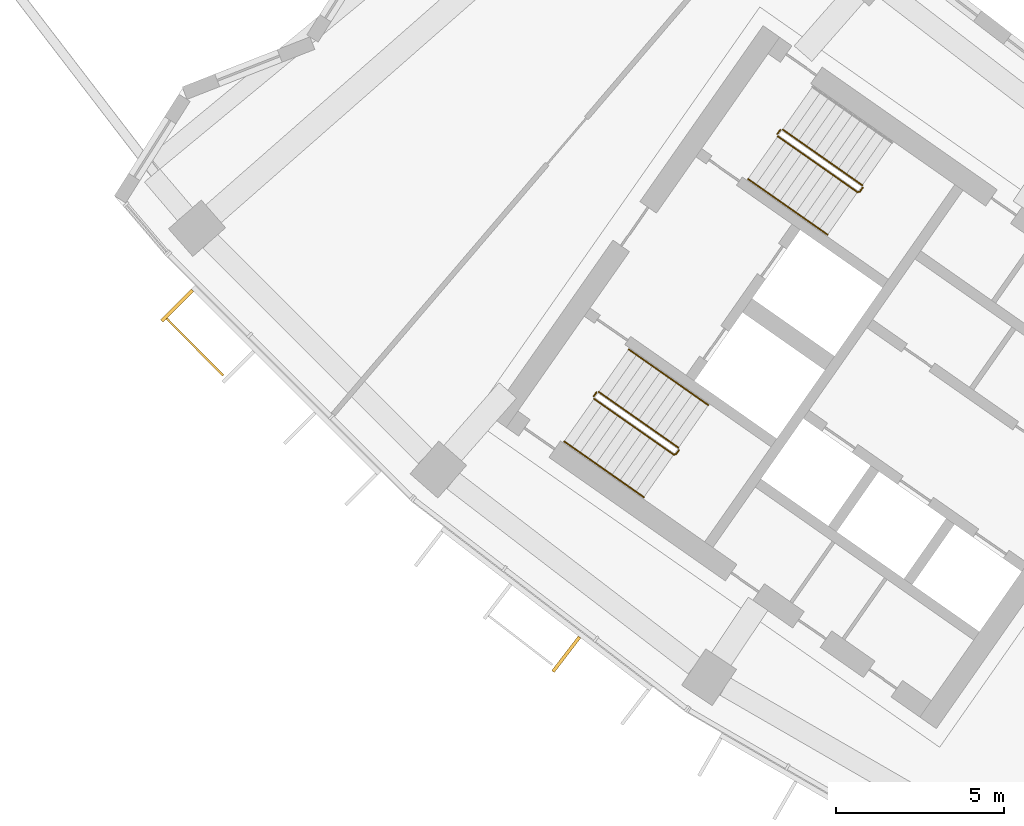
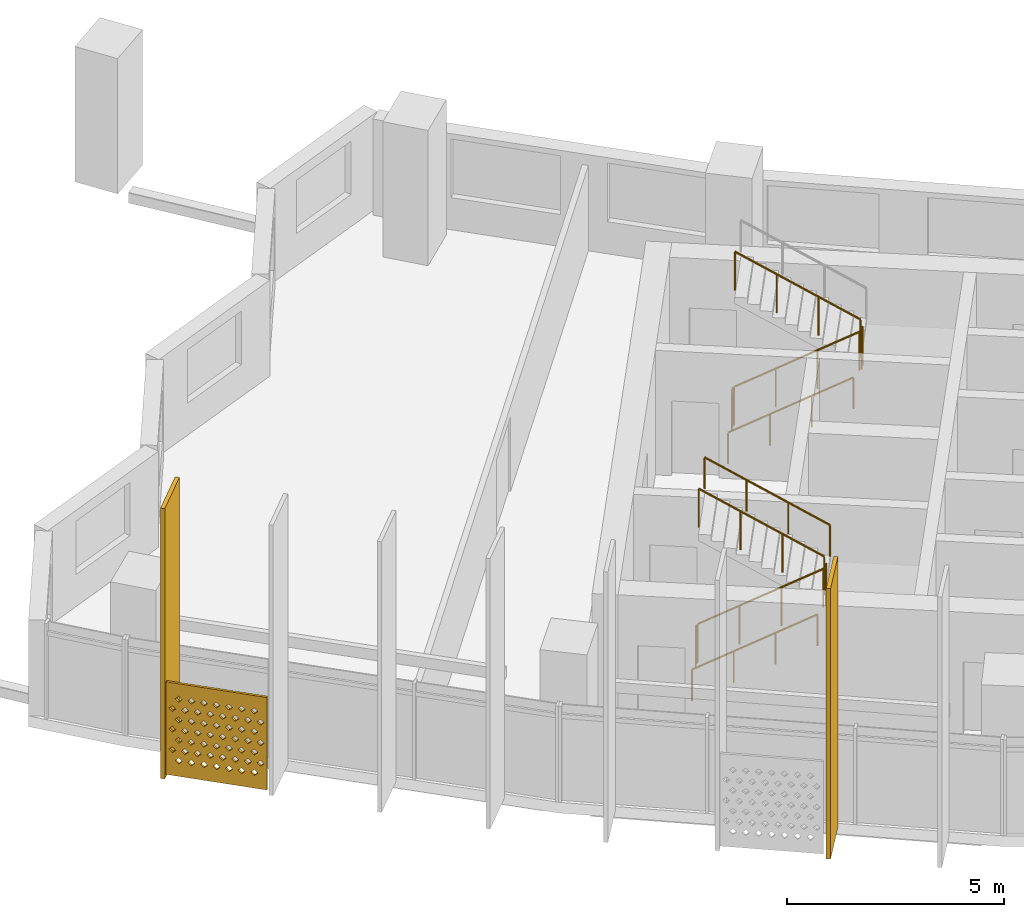
# One storey, part 22 of 27: 9 railings, 3 shading devices.
"""IFC4 building model written with IfcOpenShell, lengths in metres."""

from ifc_helpers import new_model, si_unit, direction, frame, origin, origin_2d, place, context, subcontext, project, spatial, polyline, rectangle, circle, outline, extrude, material, material_profile, profile_set, type_object, element, save


model = new_model("IFC4")

# Units and contexts
model_context = context("Model", 3, precision=1e-05, world=origin(), true_north=direction((0.0, 1.0)))
body_context = subcontext(model_context, "Body", "Model", "MODEL_VIEW")
ifc_project = project(units=[si_unit("LENGTHUNIT", "METRE"), si_unit("AREAUNIT", "SQUARE_METRE"), si_unit("VOLUMEUNIT", "CUBIC_METRE"), si_unit("PLANEANGLEUNIT", "RADIAN"), si_unit("MASSUNIT", "GRAM", prefix="KILO")], contexts=[model_context])

# Site, building, storey
site_placement = place(None, origin())
site = spatial("IfcSite", under=ifc_project, at=site_placement, CompositionType="ELEMENT")
building_placement = place(site_placement, origin())
building = spatial("IfcBuilding", under=site, at=building_placement, Name="Qamariyya Broadcast Tower", CompositionType="ELEMENT")
storey_placement = place(building_placement, frame((0.0, 0.0, 164.5)))
storey = spatial("IfcBuildingStorey", under=building, at=storey_placement, Name="L38", CompositionType="ELEMENT", Elevation=164.5)

# Shading device
ifc_material_1 = material(Name="Perforated glazed terracotta", Category="masonry")
ifc_material_profile_1 = material_profile(ifc_material_1, outline(polyline([(-1.199951171875, -1.300048828125), (1.199951171875, -1.300048828125), (1.199951171875, 1.300048828125), (-1.199951171875, 1.300048828125), (-1.199951171875, -1.300048828125)]), holes=[polyline([(-0.81494140625, -0.86669921875), (-0.89990234375, -0.78173828125), (-0.985107421875, -0.86669921875), (-0.89990234375, -0.95166015625), (-0.81494140625, -0.86669921875)]), polyline([(-0.514892578125, -0.86669921875), (-0.60009765625, -0.78173828125), (-0.68505859375, -0.86669921875), (-0.60009765625, -0.95166015625), (-0.514892578125, -0.86669921875)]), polyline([(-0.215087890625, -0.86669921875), (-0.300048828125, -0.78173828125), (-0.385009765625, -0.86669921875), (-0.300048828125, -0.95166015625), (-0.215087890625, -0.86669921875)]), polyline([(0.0849609375, -0.86669921875), (0.0, -0.78173828125), (-0.0849609375, -0.86669921875), (0.0, -0.95166015625), (0.0849609375, -0.86669921875)]), polyline([(0.385009765625, -0.86669921875), (0.300048828125, -0.78173828125), (0.215087890625, -0.86669921875), (0.300048828125, -0.95166015625), (0.385009765625, -0.86669921875)]), polyline([(0.68505859375, -0.86669921875), (0.60009765625, -0.78173828125), (0.514892578125, -0.86669921875), (0.60009765625, -0.95166015625), (0.68505859375, -0.86669921875)]), polyline([(0.985107421875, -0.86669921875), (0.89990234375, -0.78173828125), (0.81494140625, -0.86669921875), (0.89990234375, -0.95166015625), (0.985107421875, -0.86669921875)]), polyline([(-0.965087890625, -0.577880859375), (-1.050048828125, -0.49267578125), (-1.135009765625, -0.577880859375), (-1.050048828125, -0.662841796875), (-0.965087890625, -0.577880859375)]), polyline([(-0.6650390625, -0.577880859375), (-0.75, -0.49267578125), (-0.8349609375, -0.577880859375), (-0.75, -0.662841796875), (-0.6650390625, -0.577880859375)]), polyline([(-0.364990234375, -0.577880859375), (-0.449951171875, -0.49267578125), (-0.534912109375, -0.577880859375), (-0.449951171875, -0.662841796875), (-0.364990234375, -0.577880859375)]), polyline([(-0.06494140625, -0.577880859375), (-0.14990234375, -0.49267578125), (-0.235107421875, -0.577880859375), (-0.14990234375, -0.662841796875), (-0.06494140625, -0.577880859375)]), polyline([(0.235107421875, -0.577880859375), (0.14990234375, -0.49267578125), (0.06494140625, -0.577880859375), (0.14990234375, -0.662841796875), (0.235107421875, -0.577880859375)]), polyline([(0.534912109375, -0.577880859375), (0.449951171875, -0.49267578125), (0.364990234375, -0.577880859375), (0.449951171875, -0.662841796875), (0.534912109375, -0.577880859375)]), polyline([(0.8349609375, -0.577880859375), (0.75, -0.49267578125), (0.6650390625, -0.577880859375), (0.75, -0.662841796875), (0.8349609375, -0.577880859375)]), polyline([(1.135009765625, -0.577880859375), (1.050048828125, -0.49267578125), (0.965087890625, -0.577880859375), (1.050048828125, -0.662841796875), (1.135009765625, -0.577880859375)]), polyline([(-0.81494140625, -0.288818359375), (-0.89990234375, -0.203857421875), (-0.985107421875, -0.288818359375), (-0.89990234375, -0.373779296875), (-0.81494140625, -0.288818359375)]), polyline([(-0.514892578125, -0.288818359375), (-0.60009765625, -0.203857421875), (-0.68505859375, -0.288818359375), (-0.60009765625, -0.373779296875), (-0.514892578125, -0.288818359375)]), polyline([(-0.215087890625, -0.288818359375), (-0.300048828125, -0.203857421875), (-0.385009765625, -0.288818359375), (-0.300048828125, -0.373779296875), (-0.215087890625, -0.288818359375)]), polyline([(0.0849609375, -0.288818359375), (0.0, -0.203857421875), (-0.0849609375, -0.288818359375), (0.0, -0.373779296875), (0.0849609375, -0.288818359375)]), polyline([(0.385009765625, -0.288818359375), (0.300048828125, -0.203857421875), (0.215087890625, -0.288818359375), (0.300048828125, -0.373779296875), (0.385009765625, -0.288818359375)]), polyline([(0.68505859375, -0.288818359375), (0.60009765625, -0.203857421875), (0.514892578125, -0.288818359375), (0.60009765625, -0.373779296875), (0.68505859375, -0.288818359375)]), polyline([(0.985107421875, -0.288818359375), (0.89990234375, -0.203857421875), (0.81494140625, -0.288818359375), (0.89990234375, -0.373779296875), (0.985107421875, -0.288818359375)]), polyline([(-0.965087890625, 0.0), (-1.050048828125, 0.0849609375), (-1.135009765625, 0.0), (-1.050048828125, -0.0849609375), (-0.965087890625, 0.0)]), polyline([(-0.6650390625, 0.0), (-0.75, 0.0849609375), (-0.8349609375, 0.0), (-0.75, -0.0849609375), (-0.6650390625, 0.0)]), polyline([(-0.364990234375, 0.0), (-0.449951171875, 0.0849609375), (-0.534912109375, 0.0), (-0.449951171875, -0.0849609375), (-0.364990234375, 0.0)]), polyline([(-0.06494140625, 0.0), (-0.14990234375, 0.0849609375), (-0.235107421875, 0.0), (-0.14990234375, -0.0849609375), (-0.06494140625, 0.0)]), polyline([(0.235107421875, 0.0), (0.14990234375, 0.0849609375), (0.06494140625, 0.0), (0.14990234375, -0.0849609375), (0.235107421875, 0.0)]), polyline([(0.534912109375, 0.0), (0.449951171875, 0.0849609375), (0.364990234375, 0.0), (0.449951171875, -0.0849609375), (0.534912109375, 0.0)]), polyline([(0.8349609375, 0.0), (0.75, 0.0849609375), (0.6650390625, 0.0), (0.75, -0.0849609375), (0.8349609375, 0.0)]), polyline([(1.135009765625, 0.0), (1.050048828125, 0.0849609375), (0.965087890625, 0.0), (1.050048828125, -0.0849609375), (1.135009765625, 0.0)]), polyline([(-0.81494140625, 0.288818359375), (-0.89990234375, 0.373779296875), (-0.985107421875, 0.288818359375), (-0.89990234375, 0.203857421875), (-0.81494140625, 0.288818359375)]), polyline([(-0.514892578125, 0.288818359375), (-0.60009765625, 0.373779296875), (-0.68505859375, 0.288818359375), (-0.60009765625, 0.203857421875), (-0.514892578125, 0.288818359375)]), polyline([(-0.215087890625, 0.288818359375), (-0.300048828125, 0.373779296875), (-0.385009765625, 0.288818359375), (-0.300048828125, 0.203857421875), (-0.215087890625, 0.288818359375)]), polyline([(0.0849609375, 0.288818359375), (0.0, 0.373779296875), (-0.0849609375, 0.288818359375), (0.0, 0.203857421875), (0.0849609375, 0.288818359375)]), polyline([(0.385009765625, 0.288818359375), (0.300048828125, 0.373779296875), (0.215087890625, 0.288818359375), (0.300048828125, 0.203857421875), (0.385009765625, 0.288818359375)]), polyline([(0.68505859375, 0.288818359375), (0.60009765625, 0.373779296875), (0.514892578125, 0.288818359375), (0.60009765625, 0.203857421875), (0.68505859375, 0.288818359375)]), polyline([(0.985107421875, 0.288818359375), (0.89990234375, 0.373779296875), (0.81494140625, 0.288818359375), (0.89990234375, 0.203857421875), (0.985107421875, 0.288818359375)]), polyline([(-0.965087890625, 0.577880859375), (-1.050048828125, 0.662841796875), (-1.135009765625, 0.577880859375), (-1.050048828125, 0.49267578125), (-0.965087890625, 0.577880859375)]), polyline([(-0.6650390625, 0.577880859375), (-0.75, 0.662841796875), (-0.8349609375, 0.577880859375), (-0.75, 0.49267578125), (-0.6650390625, 0.577880859375)]), polyline([(-0.364990234375, 0.577880859375), (-0.449951171875, 0.662841796875), (-0.534912109375, 0.577880859375), (-0.449951171875, 0.49267578125), (-0.364990234375, 0.577880859375)]), polyline([(-0.06494140625, 0.577880859375), (-0.14990234375, 0.662841796875), (-0.235107421875, 0.577880859375), (-0.14990234375, 0.49267578125), (-0.06494140625, 0.577880859375)]), polyline([(0.235107421875, 0.577880859375), (0.14990234375, 0.662841796875), (0.06494140625, 0.577880859375), (0.14990234375, 0.49267578125), (0.235107421875, 0.577880859375)]), polyline([(0.534912109375, 0.577880859375), (0.449951171875, 0.662841796875), (0.364990234375, 0.577880859375), (0.449951171875, 0.49267578125), (0.534912109375, 0.577880859375)]), polyline([(0.8349609375, 0.577880859375), (0.75, 0.662841796875), (0.6650390625, 0.577880859375), (0.75, 0.49267578125), (0.8349609375, 0.577880859375)]), polyline([(1.135009765625, 0.577880859375), (1.050048828125, 0.662841796875), (0.965087890625, 0.577880859375), (1.050048828125, 0.49267578125), (1.135009765625, 0.577880859375)]), polyline([(-0.81494140625, 0.86669921875), (-0.89990234375, 0.95166015625), (-0.985107421875, 0.86669921875), (-0.89990234375, 0.78173828125), (-0.81494140625, 0.86669921875)]), polyline([(-0.514892578125, 0.86669921875), (-0.60009765625, 0.95166015625), (-0.68505859375, 0.86669921875), (-0.60009765625, 0.78173828125), (-0.514892578125, 0.86669921875)]), polyline([(-0.215087890625, 0.86669921875), (-0.300048828125, 0.95166015625), (-0.385009765625, 0.86669921875), (-0.300048828125, 0.78173828125), (-0.215087890625, 0.86669921875)]), polyline([(0.0849609375, 0.86669921875), (0.0, 0.95166015625), (-0.0849609375, 0.86669921875), (0.0, 0.78173828125), (0.0849609375, 0.86669921875)]), polyline([(0.385009765625, 0.86669921875), (0.300048828125, 0.95166015625), (0.215087890625, 0.86669921875), (0.300048828125, 0.78173828125), (0.385009765625, 0.86669921875)]), polyline([(0.68505859375, 0.86669921875), (0.60009765625, 0.95166015625), (0.514892578125, 0.86669921875), (0.60009765625, 0.78173828125), (0.68505859375, 0.86669921875)]), polyline([(0.985107421875, 0.86669921875), (0.89990234375, 0.95166015625), (0.81494140625, 0.86669921875), (0.89990234375, 0.78173828125), (0.985107421875, 0.86669921875)])]))
ifc_profile_set_1 = profile_set([ifc_material_profile_1], Name="Perforated glazed terracotta")
shading_device_type_1 = type_object("IfcShadingDeviceType", Name="Perforated terracotta screen 2400 x 2600", PredefinedType="USERDEFINED", material=ifc_profile_set_1)
shading_device_placement = place(storey_placement, frame((-58.49609375, -54.78369140625, 1.35009765625), z_axis=(-0.709141608176, -0.705066081692, 0.0), x_axis=(0.705066081692, -0.709141608176, 0.0)))
element("IfcShadingDevice", 1, at=shading_device_placement, inside=storey, type_object=shading_device_type_1, Name="e-scr-L38-01-0", ObjectType="SCREEN", PredefinedType="USERDEFINED", context=body_context, shape_type="SweptSolid", body=[
    extrude(outline(polyline([(-1.199951171875, -1.300048828125), (1.199951171875, -1.300048828125), (1.199951171875, 1.300048828125), (-1.199951171875, 1.300048828125), (-1.199951171875, -1.300048828125)]), holes=[polyline([(-0.81494140625, -0.86669921875), (-0.89990234375, -0.78173828125), (-0.985107421875, -0.86669921875), (-0.89990234375, -0.95166015625), (-0.81494140625, -0.86669921875)]), polyline([(-0.514892578125, -0.86669921875), (-0.60009765625, -0.78173828125), (-0.68505859375, -0.86669921875), (-0.60009765625, -0.95166015625), (-0.514892578125, -0.86669921875)]), polyline([(-0.215087890625, -0.86669921875), (-0.300048828125, -0.78173828125), (-0.385009765625, -0.86669921875), (-0.300048828125, -0.95166015625), (-0.215087890625, -0.86669921875)]), polyline([(0.0849609375, -0.86669921875), (0.0, -0.78173828125), (-0.0849609375, -0.86669921875), (0.0, -0.95166015625), (0.0849609375, -0.86669921875)]), polyline([(0.385009765625, -0.86669921875), (0.300048828125, -0.78173828125), (0.215087890625, -0.86669921875), (0.300048828125, -0.95166015625), (0.385009765625, -0.86669921875)]), polyline([(0.68505859375, -0.86669921875), (0.60009765625, -0.78173828125), (0.514892578125, -0.86669921875), (0.60009765625, -0.95166015625), (0.68505859375, -0.86669921875)]), polyline([(0.985107421875, -0.86669921875), (0.89990234375, -0.78173828125), (0.81494140625, -0.86669921875), (0.89990234375, -0.95166015625), (0.985107421875, -0.86669921875)]), polyline([(-0.965087890625, -0.577880859375), (-1.050048828125, -0.49267578125), (-1.135009765625, -0.577880859375), (-1.050048828125, -0.662841796875), (-0.965087890625, -0.577880859375)]), polyline([(-0.6650390625, -0.577880859375), (-0.75, -0.49267578125), (-0.8349609375, -0.577880859375), (-0.75, -0.662841796875), (-0.6650390625, -0.577880859375)]), polyline([(-0.364990234375, -0.577880859375), (-0.449951171875, -0.49267578125), (-0.534912109375, -0.577880859375), (-0.449951171875, -0.662841796875), (-0.364990234375, -0.577880859375)]), polyline([(-0.06494140625, -0.577880859375), (-0.14990234375, -0.49267578125), (-0.235107421875, -0.577880859375), (-0.14990234375, -0.662841796875), (-0.06494140625, -0.577880859375)]), polyline([(0.235107421875, -0.577880859375), (0.14990234375, -0.49267578125), (0.06494140625, -0.577880859375), (0.14990234375, -0.662841796875), (0.235107421875, -0.577880859375)]), polyline([(0.534912109375, -0.577880859375), (0.449951171875, -0.49267578125), (0.364990234375, -0.577880859375), (0.449951171875, -0.662841796875), (0.534912109375, -0.577880859375)]), polyline([(0.8349609375, -0.577880859375), (0.75, -0.49267578125), (0.6650390625, -0.577880859375), (0.75, -0.662841796875), (0.8349609375, -0.577880859375)]), polyline([(1.135009765625, -0.577880859375), (1.050048828125, -0.49267578125), (0.965087890625, -0.577880859375), (1.050048828125, -0.662841796875), (1.135009765625, -0.577880859375)]), polyline([(-0.81494140625, -0.288818359375), (-0.89990234375, -0.203857421875), (-0.985107421875, -0.288818359375), (-0.89990234375, -0.373779296875), (-0.81494140625, -0.288818359375)]), polyline([(-0.514892578125, -0.288818359375), (-0.60009765625, -0.203857421875), (-0.68505859375, -0.288818359375), (-0.60009765625, -0.373779296875), (-0.514892578125, -0.288818359375)]), polyline([(-0.215087890625, -0.288818359375), (-0.300048828125, -0.203857421875), (-0.385009765625, -0.288818359375), (-0.300048828125, -0.373779296875), (-0.215087890625, -0.288818359375)]), polyline([(0.0849609375, -0.288818359375), (0.0, -0.203857421875), (-0.0849609375, -0.288818359375), (0.0, -0.373779296875), (0.0849609375, -0.288818359375)]), polyline([(0.385009765625, -0.288818359375), (0.300048828125, -0.203857421875), (0.215087890625, -0.288818359375), (0.300048828125, -0.373779296875), (0.385009765625, -0.288818359375)]), polyline([(0.68505859375, -0.288818359375), (0.60009765625, -0.203857421875), (0.514892578125, -0.288818359375), (0.60009765625, -0.373779296875), (0.68505859375, -0.288818359375)]), polyline([(0.985107421875, -0.288818359375), (0.89990234375, -0.203857421875), (0.81494140625, -0.288818359375), (0.89990234375, -0.373779296875), (0.985107421875, -0.288818359375)]), polyline([(-0.965087890625, 0.0), (-1.050048828125, 0.0849609375), (-1.135009765625, 0.0), (-1.050048828125, -0.0849609375), (-0.965087890625, 0.0)]), polyline([(-0.6650390625, 0.0), (-0.75, 0.0849609375), (-0.8349609375, 0.0), (-0.75, -0.0849609375), (-0.6650390625, 0.0)]), polyline([(-0.364990234375, 0.0), (-0.449951171875, 0.0849609375), (-0.534912109375, 0.0), (-0.449951171875, -0.0849609375), (-0.364990234375, 0.0)]), polyline([(-0.06494140625, 0.0), (-0.14990234375, 0.0849609375), (-0.235107421875, 0.0), (-0.14990234375, -0.0849609375), (-0.06494140625, 0.0)]), polyline([(0.235107421875, 0.0), (0.14990234375, 0.0849609375), (0.06494140625, 0.0), (0.14990234375, -0.0849609375), (0.235107421875, 0.0)]), polyline([(0.534912109375, 0.0), (0.449951171875, 0.0849609375), (0.364990234375, 0.0), (0.449951171875, -0.0849609375), (0.534912109375, 0.0)]), polyline([(0.8349609375, 0.0), (0.75, 0.0849609375), (0.6650390625, 0.0), (0.75, -0.0849609375), (0.8349609375, 0.0)]), polyline([(1.135009765625, 0.0), (1.050048828125, 0.0849609375), (0.965087890625, 0.0), (1.050048828125, -0.0849609375), (1.135009765625, 0.0)]), polyline([(-0.81494140625, 0.288818359375), (-0.89990234375, 0.373779296875), (-0.985107421875, 0.288818359375), (-0.89990234375, 0.203857421875), (-0.81494140625, 0.288818359375)]), polyline([(-0.514892578125, 0.288818359375), (-0.60009765625, 0.373779296875), (-0.68505859375, 0.288818359375), (-0.60009765625, 0.203857421875), (-0.514892578125, 0.288818359375)]), polyline([(-0.215087890625, 0.288818359375), (-0.300048828125, 0.373779296875), (-0.385009765625, 0.288818359375), (-0.300048828125, 0.203857421875), (-0.215087890625, 0.288818359375)]), polyline([(0.0849609375, 0.288818359375), (0.0, 0.373779296875), (-0.0849609375, 0.288818359375), (0.0, 0.203857421875), (0.0849609375, 0.288818359375)]), polyline([(0.385009765625, 0.288818359375), (0.300048828125, 0.373779296875), (0.215087890625, 0.288818359375), (0.300048828125, 0.203857421875), (0.385009765625, 0.288818359375)]), polyline([(0.68505859375, 0.288818359375), (0.60009765625, 0.373779296875), (0.514892578125, 0.288818359375), (0.60009765625, 0.203857421875), (0.68505859375, 0.288818359375)]), polyline([(0.985107421875, 0.288818359375), (0.89990234375, 0.373779296875), (0.81494140625, 0.288818359375), (0.89990234375, 0.203857421875), (0.985107421875, 0.288818359375)]), polyline([(-0.965087890625, 0.577880859375), (-1.050048828125, 0.662841796875), (-1.135009765625, 0.577880859375), (-1.050048828125, 0.49267578125), (-0.965087890625, 0.577880859375)]), polyline([(-0.6650390625, 0.577880859375), (-0.75, 0.662841796875), (-0.8349609375, 0.577880859375), (-0.75, 0.49267578125), (-0.6650390625, 0.577880859375)]), polyline([(-0.364990234375, 0.577880859375), (-0.449951171875, 0.662841796875), (-0.534912109375, 0.577880859375), (-0.449951171875, 0.49267578125), (-0.364990234375, 0.577880859375)]), polyline([(-0.06494140625, 0.577880859375), (-0.14990234375, 0.662841796875), (-0.235107421875, 0.577880859375), (-0.14990234375, 0.49267578125), (-0.06494140625, 0.577880859375)]), polyline([(0.235107421875, 0.577880859375), (0.14990234375, 0.662841796875), (0.06494140625, 0.577880859375), (0.14990234375, 0.49267578125), (0.235107421875, 0.577880859375)]), polyline([(0.534912109375, 0.577880859375), (0.449951171875, 0.662841796875), (0.364990234375, 0.577880859375), (0.449951171875, 0.49267578125), (0.534912109375, 0.577880859375)]), polyline([(0.8349609375, 0.577880859375), (0.75, 0.662841796875), (0.6650390625, 0.577880859375), (0.75, 0.49267578125), (0.8349609375, 0.577880859375)]), polyline([(1.135009765625, 0.577880859375), (1.050048828125, 0.662841796875), (0.965087890625, 0.577880859375), (1.050048828125, 0.49267578125), (1.135009765625, 0.577880859375)]), polyline([(-0.81494140625, 0.86669921875), (-0.89990234375, 0.95166015625), (-0.985107421875, 0.86669921875), (-0.89990234375, 0.78173828125), (-0.81494140625, 0.86669921875)]), polyline([(-0.514892578125, 0.86669921875), (-0.60009765625, 0.95166015625), (-0.68505859375, 0.86669921875), (-0.60009765625, 0.78173828125), (-0.514892578125, 0.86669921875)]), polyline([(-0.215087890625, 0.86669921875), (-0.300048828125, 0.95166015625), (-0.385009765625, 0.86669921875), (-0.300048828125, 0.78173828125), (-0.215087890625, 0.86669921875)]), polyline([(0.0849609375, 0.86669921875), (0.0, 0.95166015625), (-0.0849609375, 0.86669921875), (0.0, 0.78173828125), (0.0849609375, 0.86669921875)]), polyline([(0.385009765625, 0.86669921875), (0.300048828125, 0.95166015625), (0.215087890625, 0.86669921875), (0.300048828125, 0.78173828125), (0.385009765625, 0.86669921875)]), polyline([(0.68505859375, 0.86669921875), (0.60009765625, 0.95166015625), (0.514892578125, 0.86669921875), (0.60009765625, 0.78173828125), (0.68505859375, 0.86669921875)]), polyline([(0.985107421875, 0.86669921875), (0.89990234375, 0.95166015625), (0.81494140625, 0.86669921875), (0.89990234375, 0.78173828125), (0.985107421875, 0.86669921875)])]), origin(), (0.0, 0.0, 1.0), 0.059814453125),
])

# Railings
ifc_material_2 = material(Name="Painted steel", Category="steel")
railing_type_1 = type_object("IfcRailingType", Name="Stair guard", PredefinedType="GUARDRAIL", material=ifc_material_2)
railing_1_placement = place(storey_placement, frame((-41.146728515625, -48.52490234375, 0.172607421875)))
element("IfcRailing", 2, at=railing_1_placement, inside=storey, type_object=railing_type_1, Name="L38 ST-W2 stair guard 1", PredefinedType="GUARDRAIL", context=body_context, shape_type="SweptSolid", body=[
    extrude(circle(Radius=0.02392578125, at=origin_2d()), frame((0.0, 0.0, 1.076171875), z_axis=(0.703770094002, -0.492783725636, 0.511734163933), x_axis=(0.573575343427, 0.819152809562, 0.0)), (0.0, 0.0, 1.0), 3.37548828125),
    extrude(circle(Radius=0.02392578125, at=origin_2d()), frame((2.37548828125, -1.663330078125, 2.80322265625), z_axis=(0.985059694769, 0.172213233351, 0.0), x_axis=(-0.172213233351, 0.985059694769, 0.0)), (0.0, 0.0, 1.0), 0.07080078125),
    extrude(circle(Radius=0.02392578125, at=origin_2d()), frame((2.4453125, -1.651123046875, 2.80322265625), z_axis=(0.572588637393, 0.819842821722, 0.0), x_axis=(-0.819842821722, 0.572588637393, 0.0)), (0.0, 0.0, 1.0), 0.150146484375),
    extrude(circle(Radius=0.02099609375, at=origin_2d()), origin(), (0.0, 0.0, 1.0), 1.052001953125),
    extrude(circle(Radius=0.02099609375, at=origin_2d()), frame((0.791748046875, -0.554443359375, 0.57568359375)), (0.0, 0.0, 1.0), 1.052001953125),
    extrude(circle(Radius=0.02099609375, at=origin_2d()), frame((1.583740234375, -1.10888671875, 1.151611328125)), (0.0, 0.0, 1.0), 1.052001953125),
    extrude(circle(Radius=0.02099609375, at=origin_2d()), frame((2.37548828125, -1.663330078125, 1.727294921875)), (0.0, 0.0, 1.0), 1.052001953125),
    extrude(circle(Radius=0.02099609375, at=origin_2d()), frame((2.4453125, -1.651123046875, 1.727294921875)), (0.0, 0.0, 1.0), 1.052001953125),
    extrude(circle(Radius=0.02099609375, at=origin_2d()), frame((2.53125, -1.528076171875, 1.727294921875)), (0.0, 0.0, 1.0), 1.052001953125),
])
railing_2_placement = place(storey_placement, frame((-38.627685546875, -49.9833984375, 2.07275390625)))
element("IfcRailing", 3, at=railing_2_placement, inside=storey, type_object=railing_type_1, Name="L38 ST-W2 stair guard 2", PredefinedType="GUARDRAIL", context=body_context, shape_type="SweptSolid", body=[
    extrude(circle(Radius=0.02392578125, at=origin_2d()), frame((0.0, 0.0, 1.076171875), z_axis=(-0.703770094002, 0.492783725636, 0.511734163933), x_axis=(-0.573575343427, -0.819152809562, 0.0)), (0.0, 0.0, 1.0), 3.37548828125),
    extrude(circle(Radius=0.02099609375, at=origin_2d()), origin(), (0.0, 0.0, 1.0), 1.052001953125),
    extrude(circle(Radius=0.02099609375, at=origin_2d()), frame((-0.791748046875, 0.554443359375, 0.57568359375)), (0.0, 0.0, 1.0), 1.052001953125),
    extrude(circle(Radius=0.02099609375, at=origin_2d()), frame((-1.583740234375, 1.10888671875, 1.151611328125)), (0.0, 0.0, 1.0), 1.052001953125),
    extrude(circle(Radius=0.02099609375, at=origin_2d()), frame((-2.37548828125, 1.663330078125, 1.727294921875)), (0.0, 0.0, 1.0), 1.052001953125),
])
railing_3_placement = place(storey_placement, frame((-41.158935546875, -48.455322265625, 0.0)))
element("IfcRailing", 4, at=railing_3_placement, inside=storey, type_object=railing_type_1, Name="L38 ST-W2 stair guard 3", PredefinedType="GUARDRAIL", context=body_context, shape_type="SweptSolid", body=[
    extrude(circle(Radius=0.02392578125, at=origin_2d()), frame((0.0, 0.0, 1.076171875), z_axis=(0.572588637393, 0.819842821722, 0.0), x_axis=(-0.819842821722, 0.572588637393, 0.0)), (0.0, 0.0, 1.0), 0.150146484375),
    extrude(circle(Radius=0.02099609375, at=origin_2d()), origin(), (0.0, 0.0, 1.0), 1.052001953125),
    extrude(circle(Radius=0.02099609375, at=origin_2d()), frame((0.0859375, 0.123046875, 0.0)), (0.0, 0.0, 1.0), 1.052001953125),
])
railing_4_placement = place(storey_placement, frame((-46.624267578125, -56.34765625, 0.172607421875)))
element("IfcRailing", 5, at=railing_4_placement, inside=storey, type_object=railing_type_1, Name="L38 ST-W1 stair guard 1", PredefinedType="GUARDRAIL", context=body_context, shape_type="SweptSolid", body=[
    extrude(circle(Radius=0.02392578125, at=origin_2d()), frame((0.0, 0.0, 1.076171875), z_axis=(0.703745009021, -0.492838488332, 0.511715923826), x_axis=(0.573631830683, 0.819113253969, 0.0)), (0.0, 0.0, 1.0), 3.37548828125),
    extrude(circle(Radius=0.02392578125, at=origin_2d()), frame((2.37548828125, -1.66357421875, 2.80322265625), z_axis=(0.984363469884, 0.176149252506, 0.0), x_axis=(-0.176149252506, 0.984363469884, 0.0)), (0.0, 0.0, 1.0), 0.07080078125),
    extrude(circle(Radius=0.02392578125, at=origin_2d()), frame((2.445068359375, -1.651123046875, 2.80322265625), z_axis=(0.574444878118, 0.818543268254, 0.0), x_axis=(-0.818543268254, 0.574444878118, 0.0)), (0.0, 0.0, 1.0), 0.150146484375),
    extrude(circle(Radius=0.02099609375, at=origin_2d()), origin(), (0.0, 0.0, 1.0), 1.052001953125),
    extrude(circle(Radius=0.02099609375, at=origin_2d()), frame((0.791748046875, -0.554443359375, 0.57568359375)), (0.0, 0.0, 1.0), 1.052001953125),
    extrude(circle(Radius=0.02099609375, at=origin_2d()), frame((1.583740234375, -1.109130859375, 1.151611328125)), (0.0, 0.0, 1.0), 1.052001953125),
    extrude(circle(Radius=0.02099609375, at=origin_2d()), frame((2.37548828125, -1.66357421875, 1.727294921875)), (0.0, 0.0, 1.0), 1.052001953125),
    extrude(circle(Radius=0.02099609375, at=origin_2d()), frame((2.445068359375, -1.651123046875, 1.727294921875)), (0.0, 0.0, 1.0), 1.052001953125),
    extrude(circle(Radius=0.02099609375, at=origin_2d()), frame((2.53125, -1.5283203125, 1.727294921875)), (0.0, 0.0, 1.0), 1.052001953125),
])
railing_5_placement = place(storey_placement, frame((-44.10546875, -57.806396484375, 2.07275390625)))
element("IfcRailing", 6, at=railing_5_placement, inside=storey, type_object=railing_type_1, Name="L38 ST-W1 stair guard 2", PredefinedType="GUARDRAIL", context=body_context, shape_type="SweptSolid", body=[
    extrude(circle(Radius=0.02392578125, at=origin_2d()), frame((0.0, 0.0, 1.076171875), z_axis=(-0.703770094002, 0.492783725636, 0.511734163933), x_axis=(-0.573575343427, -0.819152809562, 0.0)), (0.0, 0.0, 1.0), 3.37548828125),
    extrude(circle(Radius=0.02099609375, at=origin_2d()), origin(), (0.0, 0.0, 1.0), 1.052001953125),
    extrude(circle(Radius=0.02099609375, at=origin_2d()), frame((-0.791748046875, 0.554443359375, 0.57568359375)), (0.0, 0.0, 1.0), 1.052001953125),
    extrude(circle(Radius=0.02099609375, at=origin_2d()), frame((-1.583740234375, 1.10888671875, 1.151611328125)), (0.0, 0.0, 1.0), 1.052001953125),
    extrude(circle(Radius=0.02099609375, at=origin_2d()), frame((-2.37548828125, 1.663330078125, 1.727294921875)), (0.0, 0.0, 1.0), 1.052001953125),
])
railing_6_placement = place(storey_placement, frame((-46.63671875, -56.278076171875, 0.0)))
element("IfcRailing", 7, at=railing_6_placement, inside=storey, type_object=railing_type_1, Name="L38 ST-W1 stair guard 3", PredefinedType="GUARDRAIL", context=body_context, shape_type="SweptSolid", body=[
    extrude(circle(Radius=0.02392578125, at=origin_2d()), frame((0.0, 0.0, 1.076171875), z_axis=(0.574444878118, 0.818543268254, 0.0), x_axis=(-0.818543268254, 0.574444878118, 0.0)), (0.0, 0.0, 1.0), 0.150146484375),
    extrude(circle(Radius=0.02099609375, at=origin_2d()), origin(), (0.0, 0.0, 1.0), 1.052001953125),
    extrude(circle(Radius=0.02099609375, at=origin_2d()), frame((0.086181640625, 0.122802734375, 0.0)), (0.0, 0.0, 1.0), 1.052001953125),
])
ifc_material_3 = material(Name="Stainless steel", Category="steel")
railing_type_2 = type_object("IfcRailingType", Name="Stair handrail", PredefinedType="HANDRAIL", material=ifc_material_3)
railing_7_placement = place(storey_placement, frame((-42.03564453125, -49.79443359375, 0.172607421875)))
element("IfcRailing", 8, at=railing_7_placement, inside=storey, type_object=railing_type_2, Name="L38 ST-W2 stair handrail 1", PredefinedType="HANDRAIL", context=body_context, shape_type="SweptSolid", body=[
    extrude(circle(Radius=0.02392578125, at=origin_2d()), frame((0.0, 0.0, 0.8759765625), z_axis=(0.703745009021, -0.492838488332, 0.511715923826), x_axis=(0.573631830683, 0.819113253969, 0.0)), (0.0, 0.0, 1.0), 3.37548828125),
    extrude(circle(Radius=0.02099609375, at=origin_2d()), origin(), (0.0, 0.0, 1.0), 0.851806640625),
    extrude(circle(Radius=0.02099609375, at=origin_2d()), frame((0.791748046875, -0.554443359375, 0.57568359375)), (0.0, 0.0, 1.0), 0.851806640625),
    extrude(circle(Radius=0.02099609375, at=origin_2d()), frame((1.583740234375, -1.109130859375, 1.151611328125)), (0.0, 0.0, 1.0), 0.851806640625),
    extrude(circle(Radius=0.02099609375, at=origin_2d()), frame((2.37548828125, -1.66357421875, 1.727294921875)), (0.0, 0.0, 1.0), 0.851806640625),
])
railing_8_placement = place(storey_placement, frame((-47.513427734375, -57.617431640625, 0.172607421875)))
element("IfcRailing", 9, at=railing_8_placement, inside=storey, type_object=railing_type_2, Name="L38 ST-W1 stair handrail 1", PredefinedType="HANDRAIL", context=body_context, shape_type="SweptSolid", body=[
    extrude(circle(Radius=0.02392578125, at=origin_2d()), frame((0.0, 0.0, 0.8759765625), z_axis=(0.703770094002, -0.492783725636, 0.511734163933), x_axis=(0.573575343427, 0.819152809562, 0.0)), (0.0, 0.0, 1.0), 3.37548828125),
    extrude(circle(Radius=0.02099609375, at=origin_2d()), origin(), (0.0, 0.0, 1.0), 0.851806640625),
    extrude(circle(Radius=0.02099609375, at=origin_2d()), frame((0.791748046875, -0.554443359375, 0.57568359375)), (0.0, 0.0, 1.0), 0.851806640625),
    extrude(circle(Radius=0.02099609375, at=origin_2d()), frame((1.583740234375, -1.10888671875, 1.151611328125)), (0.0, 0.0, 1.0), 0.851806640625),
    extrude(circle(Radius=0.02099609375, at=origin_2d()), frame((2.37548828125, -1.663330078125, 1.727294921875)), (0.0, 0.0, 1.0), 0.851806640625),
])
railing_9_placement = place(storey_placement, frame((-43.21630859375, -56.53662109375, 2.07275390625)))
element("IfcRailing", 10, at=railing_9_placement, inside=storey, type_object=railing_type_2, Name="L38 ST-W1 stair handrail 2", PredefinedType="HANDRAIL", context=body_context, shape_type="SweptSolid", body=[
    extrude(circle(Radius=0.02392578125, at=origin_2d()), frame((0.0, 0.0, 0.8759765625), z_axis=(-0.703770094002, 0.492783725636, 0.511734163933), x_axis=(-0.573575343427, -0.819152809562, 0.0)), (0.0, 0.0, 1.0), 3.37548828125),
    extrude(circle(Radius=0.02099609375, at=origin_2d()), origin(), (0.0, 0.0, 1.0), 0.851806640625),
    extrude(circle(Radius=0.02099609375, at=origin_2d()), frame((-0.791748046875, 0.554443359375, 0.57568359375)), (0.0, 0.0, 1.0), 0.851806640625),
    extrude(circle(Radius=0.02099609375, at=origin_2d()), frame((-1.583740234375, 1.10888671875, 1.151611328125)), (0.0, 0.0, 1.0), 0.851806640625),
    extrude(circle(Radius=0.02099609375, at=origin_2d()), frame((-2.37548828125, 1.663330078125, 1.727294921875)), (0.0, 0.0, 1.0), 0.851806640625),
])

# Shading devices
ifc_material_4 = material(Name="Glazed terracotta", Category="masonry")
ifc_material_profile_2 = material_profile(ifc_material_4, rectangle(XDim=1.300048828125, YDim=0.10009765625, at=origin_2d()))
ifc_profile_set_2 = profile_set([ifc_material_profile_2], Name="Glazed terracotta")
shading_device_type_2 = type_object("IfcShadingDeviceType", Name="Terracotta fin 100 x 1300", PredefinedType="USERDEFINED", material=ifc_profile_set_2)
for number, where, z_axis, x_axis, name in (
    (11, (-59.047607421875, -53.5673828125, 0.0), (0.0, 0.0, 1.0), (-0.707106781187, -0.707106781187, 0.0), "e-fin-L38-01-0"),
    (12, (-47.451416015625, -63.961669921875, 0.0), (0.0, 0.0, 1.0), (-0.608761429009, -0.793353340291, 0.0), "e-fin-L38-02-2"),
):
    element("IfcShadingDevice", number, at=place(storey_placement, frame(where, z_axis=z_axis, x_axis=x_axis)), inside=storey, type_object=shading_device_type_2, Name=name, ObjectType="FIN", PredefinedType="USERDEFINED", context=body_context, shape_type="SweptSolid", body=[
        extrude(rectangle(XDim=1.300048828125, YDim=0.10009765625, at=origin_2d()), origin(), (0.0, 0.0, 1.0), 7.60009765625),
    ])

save(model, "model.ifc")
